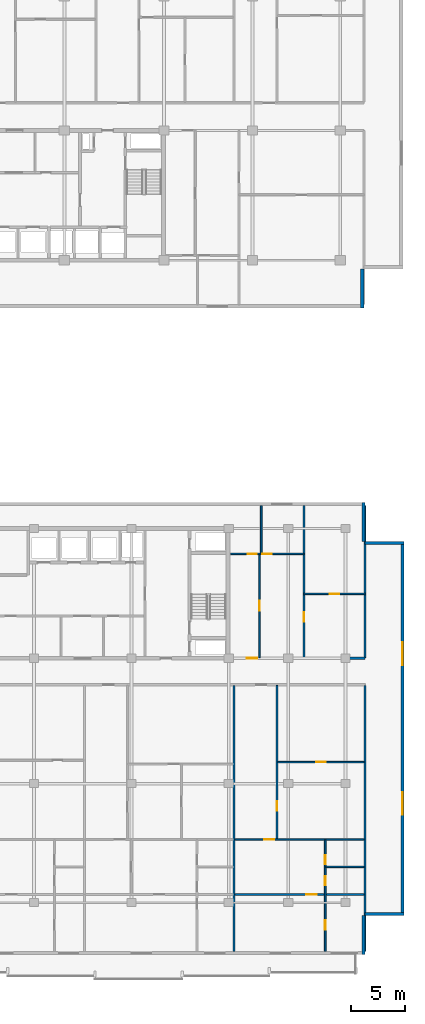
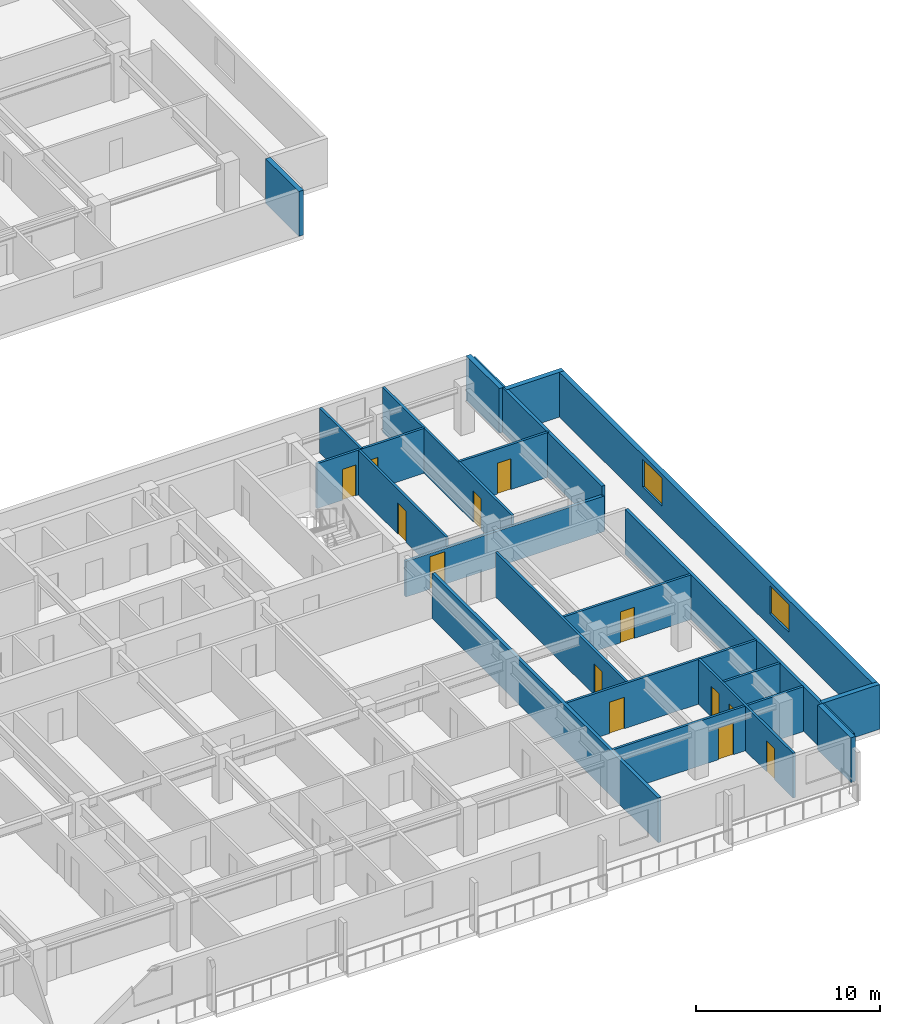
# One storey, part 9 of 21: 21 walls, 13 doors, 2 windows, 15 openings.
"""IFC4 building model written with IfcOpenShell, lengths in metres."""

from ifc_helpers import new_model, si_unit, direction, frame, frame_2d, origin, place, context, subcontext, project, spatial, rectangle, extrude, material, layer, layer_set, type_object, element, fill, save


model = new_model("IFC4")

# Units and contexts
model_context = context("Model", 3, precision=1e-05, world=origin(), true_north=direction((0.0, 1.0)))
body_context = subcontext(model_context, "Body", "Model", "MODEL_VIEW")
ifc_project = project(units=[si_unit("LENGTHUNIT", "METRE"), si_unit("AREAUNIT", "SQUARE_METRE"), si_unit("VOLUMEUNIT", "CUBIC_METRE"), si_unit("PLANEANGLEUNIT", "RADIAN"), si_unit("MASSUNIT", "GRAM", prefix="KILO")], contexts=[model_context])

# Site, building, storey
site_placement = place(None, origin())
site = spatial("IfcSite", under=ifc_project, at=site_placement, CompositionType="ELEMENT")
building_placement = place(site_placement, origin())
building = spatial("IfcBuilding", under=site, at=building_placement, Name="Korimba Cascade Residences", CompositionType="ELEMENT")
storey_placement = place(building_placement, frame((0.0, 0.0, 113.300048828125)))
storey = spatial("IfcBuildingStorey", under=building, at=storey_placement, Name="L32", CompositionType="ELEMENT", Elevation=113.300048828125)

# Walls
ifc_material_1 = material(Name="Precast concrete C40/50", Category="concrete")
ifc_layer_1 = layer(ifc_material_1, 0.300048828125)
ifc_layer_set_1 = layer_set([ifc_layer_1], Name="Precast concrete C40/50")
wall_type_1 = type_object("IfcWallType", Name="EW-STONE-300", PredefinedType="STANDARD", material=ifc_layer_set_1)
wall_1_placement = place(storey_placement, frame((130.449951171875, 50.800048828125, 0.0), z_axis=(0.0, 0.0, 1.0), x_axis=(0.0, 1.0, 0.0)))
element("IfcWall", 1, at=wall_1_placement, inside=storey, type_object=wall_type_1, Name="L32 T1 Perimeter Stone Wall E01", PredefinedType="STANDARD", context=body_context, shape_type="SweptSolid", body=[
    extrude(rectangle(XDim=3.599853515625, YDim=0.300048828125, at=frame_2d((1.7998046875, 0.0))), origin(), (0.0, 0.0, 1.0), 2.969970703125),
])
for number, where, z_axis, x_axis, name in (
    (2, (130.550048828125, -9.0, 0.0), (0.0, 0.0, 1.0), (0.0, 1.0, 0.0), "L32 T2 Perimeter Stone Wall E01"),
    (3, (130.699951171875, -5.25, 0.0), (0.0, 0.0, 1.0), (1.0, 0.0, 0.0), "L32 T2 Perimeter Stone Wall E02"),
):
    element("IfcWall", number, at=place(storey_placement, frame(where, z_axis=z_axis, x_axis=x_axis)), inside=storey, type_object=wall_type_1, Name=name, PredefinedType="STANDARD", context=body_context, shape_type="SweptSolid", body=[
        extrude(rectangle(XDim=3.60009765625, YDim=0.300048828125, at=frame_2d((1.800048828125, 0.0))), origin(), (0.0, 0.0, 1.0), 2.969970703125),
    ])

# Wall, openings, windows
wall_2_placement = place(storey_placement, frame((134.14990234375, -5.39990234375, 0.0), z_axis=(0.0, 0.0, 1.0), x_axis=(0.0, 1.0, 0.0)))
wall_2 = element("IfcWall", 4, at=wall_2_placement, inside=storey, type_object=wall_type_1, Name="L32 T2 Perimeter Stone Wall E03", PredefinedType="STANDARD", context=body_context, shape_type="SweptSolid", body=[
    extrude(rectangle(XDim=34.599853515625, YDim=0.300048828125, at=frame_2d((17.2998046875, 0.0))), origin(), (0.0, 0.0, 1.0), 2.969970703125),
])
opening_1_placement = place(wall_2_placement, frame((9.330078125, 0.0, 0.85009765625)))
opening_1 = element("IfcOpeningElement", 5, at=opening_1_placement, cuts=wall_2, Name="Opening W-03", PredefinedType="OPENING", context=body_context, shape_type="SweptSolid", body=[
    extrude(rectangle(XDim=2.10009765625, YDim=1.85009765625, at=frame_2d((1.050048828125, 0.925048828125))), frame((0.0, 0.16015625, 0.0), z_axis=(0.0, -1.0, 0.0), x_axis=(1.0, 0.0, 0.0)), (0.0, 0.0, 1.0), 0.320068359375),
])
opening_2_placement = place(wall_2_placement, frame((23.169921875, 0.0, 0.85009765625)))
opening_2 = element("IfcOpeningElement", 6, at=opening_2_placement, cuts=wall_2, Name="Opening W-03", PredefinedType="OPENING", context=body_context, shape_type="SweptSolid", body=[
    extrude(rectangle(XDim=2.10009765625, YDim=1.85009765625, at=frame_2d((1.050048828125, 0.925048828125))), frame((0.0, 0.16015625, 0.0), z_axis=(0.0, -1.0, 0.0), x_axis=(1.0, 0.0, 0.0)), (0.0, 0.0, 1.0), 0.320068359375),
])
ifc_material_2 = material(Name="Double-Glazed Aluminium Window", Category="aluminium")
window_type = type_object("IfcWindowType", Name="WIN-CRN-2100", PartitioningType="DOUBLE_PANEL_HORIZONTAL", PredefinedType="WINDOW", material=ifc_material_2)
window_1_placement = place(opening_1_placement, origin())
window_1 = element("IfcWindow", 7, at=window_1_placement, inside=storey, type_object=window_type, Name="L32 T2 End View Window 3.1", OverallHeight=1.85009765625, OverallWidth=2.10009765625, PartitioningType="DOUBLE_PANEL_HORIZONTAL", PredefinedType="WINDOW", context=body_context, shape_type="SweptSolid", body=[
    extrude(rectangle(XDim=2.10009765625, YDim=1.85009765625, at=frame_2d((1.050048828125, 0.925048828125))), frame((0.0, 0.030029296875, 0.0), z_axis=(0.0, -1.0, 0.0), x_axis=(1.0, 0.0, 0.0)), (0.0, 0.0, 1.0), 0.06005859375),
])
fill(opening_1, window_1)
window_2_placement = place(opening_2_placement, origin())
window_2 = element("IfcWindow", 8, at=window_2_placement, inside=storey, type_object=window_type, Name="L32 T2 End View Window 3.2", OverallHeight=1.85009765625, OverallWidth=2.10009765625, PartitioningType="DOUBLE_PANEL_HORIZONTAL", PredefinedType="WINDOW", context=body_context, shape_type="SweptSolid", body=[
    extrude(rectangle(XDim=2.10009765625, YDim=1.85009765625, at=frame_2d((1.050048828125, 0.925048828125))), frame((0.0, 0.030029296875, 0.0), z_axis=(0.0, -1.0, 0.0), x_axis=(1.0, 0.0, 0.0)), (0.0, 0.0, 1.0), 0.06005859375),
])
fill(opening_2, window_2)

# Walls
for number, where, z_axis, x_axis, name in (
    (9, (134.300048828125, 29.050048828125, 0.0), (0.0, 0.0, 1.0), (-1.0, 0.0, 0.0), "L32 T2 Perimeter Stone Wall E04"),
    (10, (130.550048828125, 29.199951171875, 0.0), (0.0, 0.0, 1.0), (0.0, 1.0, 0.0), "L32 T2 Perimeter Stone Wall E05"),
):
    element("IfcWall", number, at=place(storey_placement, frame(where, z_axis=z_axis, x_axis=x_axis)), inside=storey, type_object=wall_type_1, Name=name, PredefinedType="STANDARD", context=body_context, shape_type="SweptSolid", body=[
        extrude(rectangle(XDim=3.60009765625, YDim=0.300048828125, at=frame_2d((1.800048828125, 0.0))), origin(), (0.0, 0.0, 1.0), 2.969970703125),
    ])
ifc_layer_2 = layer(ifc_material_1, 0.199951171875)
ifc_layer_set_2 = layer_set([ifc_layer_2], Name="Precast concrete C40/50")
wall_type_2 = type_object("IfcWallType", Name="WAL-IT-200", PredefinedType="PARTITIONING", material=ifc_layer_set_2)
wall_3_placement = place(storey_placement, frame((130.699951171875, 18.39990234375, 0.0), z_axis=(0.0, 0.0, 1.0), x_axis=(0.0, 1.0, 0.0)))
element("IfcWall", 11, at=wall_3_placement, inside=storey, type_object=wall_type_2, Name="L32 Partition Wall WAL-L32-T2-FE-WR", PredefinedType="PARTITIONING", context=body_context, shape_type="SweptSolid", body=[
    extrude(rectangle(XDim=14.10009765625, YDim=0.199951171875, at=frame_2d((7.050048828125, 0.0))), origin(), (0.0, 0.0, 1.0), 2.969970703125),
])

# Wall, opening, door
wall_4_placement = place(storey_placement, frame((118.25, 18.39990234375, 0.0), z_axis=(0.0, 0.0, 1.0), x_axis=(1.0, 0.0, 0.0)))
wall_4 = element("IfcWall", 12, at=wall_4_placement, inside=storey, type_object=wall_type_2, Name="L32 Partition Wall WAL-L32-T2-FE-S", PredefinedType="PARTITIONING", context=body_context, shape_type="SweptSolid", body=[
    extrude(rectangle(XDim=12.449951171875, YDim=0.199951171875, at=frame_2d((6.22509765625, 0.0))), origin(), (0.0, 0.0, 1.0), 2.357666015625),
])
opening_3_placement = place(wall_4_placement, frame((1.510009765625, 0.0, 0.0)))
opening_3 = element("IfcOpeningElement", 13, at=opening_3_placement, cuts=wall_4, Name="Opening D-UN1", PredefinedType="OPENING", context=body_context, shape_type="SweptSolid", body=[
    extrude(rectangle(XDim=0.949951171875, YDim=2.14990234375, at=frame_2d((0.47509765625, 1.074951171875))), frame((0.0, 0.10986328125, 0.0), z_axis=(0.0, -1.0, 0.0), x_axis=(1.0, 0.0, 0.0)), (0.0, 0.0, 1.0), 0.219970703125),
])
ifc_material_3 = material(Name="Fire-Rated Hardwood Apartment Entrance Door", Category="wood")
door_type_1 = type_object("IfcDoorType", Name="DR-FD60-950", OperationType="NOTDEFINED", PredefinedType="DOOR", material=ifc_material_3)
door_1_placement = place(opening_3_placement, origin())
door_1 = element("IfcDoor", 14, at=door_1_placement, inside=storey, type_object=door_type_1, Name="L32-T2-FE Entrance Door", OperationType="SINGLE_SWING_LEFT", OverallHeight=2.14990234375, OverallWidth=0.949951171875, PredefinedType="DOOR", context=body_context, shape_type="SweptSolid", body=[
    extrude(rectangle(XDim=0.949951171875, YDim=2.14990234375, at=frame_2d((0.47509765625, 1.074951171875))), frame((0.0, 0.02490234375, 0.0), z_axis=(0.0, -1.0, 0.0), x_axis=(1.0, 0.0, 0.0)), (0.0, 0.0, 1.0), 0.050048828125),
])
fill(opening_3, door_1)

# Walls
for number, where, z_axis, x_axis, name in (
    (15, (130.699951171875, -8.699951171875, 0.0), (0.0, 0.0, 1.0), (0.0, 1.0, 0.0), "L32 Partition Wall WAL-L32-T2-BNDWR"),
    (16, (118.583251953125, -8.699951171875, 0.0), (0.0, 0.0, 1.0), (0.0, 1.0, 0.0), "L32 Partition Wall WAL-L32-T2-DEM-3"),
):
    element("IfcWall", number, at=place(storey_placement, frame(where, z_axis=z_axis, x_axis=x_axis)), inside=storey, type_object=wall_type_2, Name=name, PredefinedType="PARTITIONING", context=body_context, shape_type="SweptSolid", body=[
        extrude(rectangle(XDim=24.570068359375, YDim=0.199951171875, at=frame_2d((12.28515625, 0.0))), origin(), (0.0, 0.0, 1.0), 2.969970703125),
    ])

# Wall, opening, door
ifc_material_4 = material(Name="Insulated Acoustic Stud Partition", Category="gypsum")
ifc_layer_3 = layer(ifc_material_4, 0.14990234375)
ifc_layer_set_3 = layer_set([ifc_layer_3], Name="Insulated Acoustic Stud Partition")
wall_type_3 = type_object("IfcWallType", Name="WAL-PART-150", PredefinedType="PARTITIONING", material=ifc_layer_set_3)
wall_5_placement = place(storey_placement, frame((125.050048828125, 24.35009765625, 0.0), z_axis=(0.0, 0.0, 1.0), x_axis=(1.0, 0.0, 0.0)))
wall_5 = element("IfcWall", 17, at=wall_5_placement, inside=storey, type_object=wall_type_3, Name="L32 Partition Wall WAL-L32-T2-FE-STH", PredefinedType="PARTITIONING", context=body_context, shape_type="SweptSolid", body=[
    extrude(rectangle(XDim=5.64990234375, YDim=0.14990234375, at=frame_2d((2.824951171875, 0.0))), origin(), (0.0, 0.0, 1.0), 2.969970703125),
])
opening_4_placement = place(wall_5_placement, frame((2.405029296875, 0.0, 0.0)))
opening_4 = element("IfcOpeningElement", 18, at=opening_4_placement, cuts=wall_5, Name="Opening D-BT1", PredefinedType="OPENING", context=body_context, shape_type="SweptSolid", body=[
    extrude(rectangle(XDim=0.840087890625, YDim=2.0400390625, at=frame_2d((0.419921875, 1.02001953125))), frame((0.0, 0.0849609375, 0.0), z_axis=(0.0, -1.0, 0.0), x_axis=(1.0, 0.0, 0.0)), (0.0, 0.0, 1.0), 0.169921875),
])
ifc_material_5 = material(Name="Moisture-Resistant Bathroom Timber Door", Category="wood")
door_type_2 = type_object("IfcDoorType", Name="DR-INT-850", OperationType="NOTDEFINED", PredefinedType="DOOR", material=ifc_material_5)
door_2_placement = place(opening_4_placement, origin())
door_2 = element("IfcDoor", 19, at=door_2_placement, inside=storey, type_object=door_type_2, Name="L32-T2-FE Dressing Store Door", OperationType="SINGLE_SWING_RIGHT", OverallHeight=2.0400390625, OverallWidth=0.840087890625, PredefinedType="DOOR", context=body_context, shape_type="SweptSolid", body=[
    extrude(rectangle(XDim=0.840087890625, YDim=2.0400390625, at=frame_2d((0.419921875, 1.02001953125))), frame((0.0, 0.02490234375, 0.0), z_axis=(0.0, -1.0, 0.0), x_axis=(1.0, 0.0, 0.0)), (0.0, 0.0, 1.0), 0.050048828125),
])
fill(opening_4, door_2)

wall_6_placement = place(storey_placement, frame((125.050048828125, 18.449951171875, 0.0), z_axis=(0.0, 0.0, 1.0), x_axis=(0.0, 1.0, 0.0)))
wall_6 = element("IfcWall", 20, at=wall_6_placement, inside=storey, type_object=wall_type_3, Name="L32 Partition Wall WAL-L32-T2-FE-STV", PredefinedType="PARTITIONING", context=body_context, shape_type="SweptSolid", body=[
    extrude(rectangle(XDim=14.050048828125, YDim=0.14990234375, at=frame_2d((7.02490234375, 0.0))), origin(), (0.0, 0.0, 1.0), 2.969970703125),
])
opening_5_placement = place(wall_6_placement, frame((3.320068359375, 0.0, 0.0)))
opening_5 = element("IfcOpeningElement", 21, at=opening_5_placement, cuts=wall_6, Name="Opening D-IN2", PredefinedType="OPENING", context=body_context, shape_type="SweptSolid", body=[
    extrude(rectangle(XDim=0.8798828125, YDim=2.06005859375, at=frame_2d((0.43994140625, 1.030029296875))), frame((0.0, 0.0849609375, 0.0), z_axis=(0.0, -1.0, 0.0), x_axis=(1.0, 0.0, 0.0)), (0.0, 0.0, 1.0), 0.169921875),
])
ifc_material_6 = material(Name="Acoustic Timber Bedroom Door", Category="wood")
door_type_3 = type_object("IfcDoorType", Name="DR-INT-880", OperationType="NOTDEFINED", PredefinedType="DOOR", material=ifc_material_6)
door_3_placement = place(opening_5_placement, origin())
door_3 = element("IfcDoor", 22, at=door_3_placement, inside=storey, type_object=door_type_3, Name="L32-T2-FE Study Door", OperationType="SINGLE_SWING_LEFT", OverallHeight=2.06005859375, OverallWidth=0.8798828125, PredefinedType="DOOR", context=body_context, shape_type="SweptSolid", body=[
    extrude(rectangle(XDim=0.8798828125, YDim=2.06005859375, at=frame_2d((0.43994140625, 1.030029296875))), frame((0.0, 0.02490234375, 0.0), z_axis=(0.0, -1.0, 0.0), x_axis=(1.0, 0.0, 0.0)), (0.0, 0.0, 1.0), 0.050048828125),
])
fill(opening_5, door_3)

wall_7_placement = place(storey_placement, frame((120.929931640625, 18.449951171875, 0.0), z_axis=(0.0, 0.0, 1.0), x_axis=(0.0, 1.0, 0.0)))
wall_7 = element("IfcWall", 23, at=wall_7_placement, inside=storey, type_object=wall_type_3, Name="L32 Partition Wall WAL-L32-T2-FE-VS", PredefinedType="PARTITIONING", context=body_context, shape_type="SweptSolid", body=[
    extrude(rectangle(XDim=9.60009765625, YDim=0.14990234375, at=frame_2d((4.800048828125, 0.0))), origin(), (0.0, 0.0, 1.0), 2.969970703125),
])
opening_6_placement = place(wall_7_placement, frame((4.340087890625, 0.0, 0.0)))
opening_6 = element("IfcOpeningElement", 24, at=opening_6_placement, cuts=wall_7, Name="Opening D-IN1", PredefinedType="OPENING", context=body_context, shape_type="SweptSolid", body=[
    extrude(rectangle(XDim=0.919921875, YDim=2.080078125, at=frame_2d((0.4599609375, 1.0400390625))), frame((0.0, 0.0849609375, 0.0), z_axis=(0.0, -1.0, 0.0), x_axis=(1.0, 0.0, 0.0)), (0.0, 0.0, 1.0), 0.169921875),
])
ifc_material_7 = material(Name="Acoustic Timber Living Door", Category="wood")
door_type_4 = type_object("IfcDoorType", Name="DR-INT-920", OperationType="NOTDEFINED", PredefinedType="DOOR", material=ifc_material_7)
door_4_placement = place(opening_6_placement, origin())
door_4 = element("IfcDoor", 25, at=door_4_placement, inside=storey, type_object=door_type_4, Name="L32-T2-FE Living Door", OperationType="SINGLE_SWING_RIGHT", OverallHeight=2.080078125, OverallWidth=0.919921875, PredefinedType="DOOR", context=body_context, shape_type="SweptSolid", body=[
    extrude(rectangle(XDim=0.919921875, YDim=2.080078125, at=frame_2d((0.4599609375, 1.0400390625))), frame((0.0, 0.02490234375, 0.0), z_axis=(0.0, -1.0, 0.0), x_axis=(1.0, 0.0, 0.0)), (0.0, 0.0, 1.0), 0.050048828125),
])
fill(opening_6, door_4)

# Wall
wall_8_placement = place(storey_placement, frame((121.10009765625, 28.050048828125, 0.0), z_axis=(0.0, 0.0, 1.0), x_axis=(0.0, 1.0, 0.0)))
element("IfcWall", 26, at=wall_8_placement, inside=storey, type_object=wall_type_3, Name="L32 Partition Wall WAL-L32-T2-FE-VN", PredefinedType="PARTITIONING", context=body_context, shape_type="SweptSolid", body=[
    extrude(rectangle(XDim=4.449951171875, YDim=0.14990234375, at=frame_2d((2.22509765625, 0.0))), origin(), (0.0, 0.0, 1.0), 2.969970703125),
])

# Wall, openings, doors
wall_9_placement = place(storey_placement, frame((118.27001953125, 28.050048828125, 0.0), z_axis=(0.0, 0.0, 1.0), x_axis=(1.0, 0.0, 0.0)))
wall_9 = element("IfcWall", 27, at=wall_9_placement, inside=storey, type_object=wall_type_3, Name="L32 Partition Wall WAL-L32-T2-FE-H", PredefinedType="PARTITIONING", context=body_context, shape_type="SweptSolid", body=[
    extrude(rectangle(XDim=6.760009765625, YDim=0.14990234375, at=frame_2d((3.3798828125, 0.0))), origin(), (0.0, 0.0, 1.0), 2.969970703125),
])
opening_7_placement = place(wall_9_placement, frame((1.58740234375, 0.0, 0.0)))
opening_7 = element("IfcOpeningElement", 28, at=opening_7_placement, cuts=wall_9, Name="Opening D-BT1", PredefinedType="OPENING", context=body_context, shape_type="SweptSolid", body=[
    extrude(rectangle(XDim=0.840087890625, YDim=2.0400390625, at=frame_2d((0.419921875, 1.02001953125))), frame((0.0, 0.0849609375, 0.0), z_axis=(0.0, -1.0, 0.0), x_axis=(1.0, 0.0, 0.0)), (0.0, 0.0, 1.0), 0.169921875),
])
opening_8_placement = place(wall_9_placement, frame((2.93994140625, 0.0, 0.0)))
opening_8 = element("IfcOpeningElement", 29, at=opening_8_placement, cuts=wall_9, Name="Opening D-IN2", PredefinedType="OPENING", context=body_context, shape_type="SweptSolid", body=[
    extrude(rectangle(XDim=0.8798828125, YDim=2.06005859375, at=frame_2d((0.43994140625, 1.030029296875))), frame((0.0, 0.0849609375, 0.0), z_axis=(0.0, -1.0, 0.0), x_axis=(1.0, 0.0, 0.0)), (0.0, 0.0, 1.0), 0.169921875),
])
door_5_placement = place(opening_7_placement, origin())
door_5 = element("IfcDoor", 30, at=door_5_placement, inside=storey, type_object=door_type_2, Name="L32-T2-FE Bathroom Door", OperationType="SINGLE_SWING_LEFT", OverallHeight=2.0400390625, OverallWidth=0.840087890625, PredefinedType="DOOR", context=body_context, shape_type="SweptSolid", body=[
    extrude(rectangle(XDim=0.840087890625, YDim=2.0400390625, at=frame_2d((0.419921875, 1.02001953125))), frame((0.0, 0.02490234375, 0.0), z_axis=(0.0, -1.0, 0.0), x_axis=(1.0, 0.0, 0.0)), (0.0, 0.0, 1.0), 0.050048828125),
])
fill(opening_7, door_5)
door_6_placement = place(opening_8_placement, origin())
door_6 = element("IfcDoor", 31, at=door_6_placement, inside=storey, type_object=door_type_3, Name="L32-T2-FE Bedroom Door", OperationType="SINGLE_SWING_RIGHT", OverallHeight=2.06005859375, OverallWidth=0.8798828125, PredefinedType="DOOR", context=body_context, shape_type="SweptSolid", body=[
    extrude(rectangle(XDim=0.8798828125, YDim=2.06005859375, at=frame_2d((0.43994140625, 1.030029296875))), frame((0.0, 0.02490234375, 0.0), z_axis=(0.0, -1.0, 0.0), x_axis=(1.0, 0.0, 0.0)), (0.0, 0.0, 1.0), 0.050048828125),
])
fill(opening_8, door_6)

# Wall, opening, door
wall_10_placement = place(storey_placement, frame((122.61328125, 8.7900390625, 0.0), z_axis=(0.0, 0.0, 1.0), x_axis=(1.0, 0.0, 0.0)))
wall_10 = element("IfcWall", 32, at=wall_10_placement, inside=storey, type_object=wall_type_3, Name="L32 Partition Wall WAL-L32-T2-U04-FMH", PredefinedType="PARTITIONING", context=body_context, shape_type="SweptSolid", body=[
    extrude(rectangle(XDim=8.0068359375, YDim=0.14990234375, at=frame_2d((4.00341796875, 0.0))), origin(), (0.0, 0.0, 1.0), 2.969970703125),
])
opening_9_placement = place(wall_10_placement, frame((3.5634765625, 0.0, 0.0)))
opening_9 = element("IfcOpeningElement", 33, at=opening_9_placement, cuts=wall_10, Name="Opening D-IN2", PredefinedType="OPENING", context=body_context, shape_type="SweptSolid", body=[
    extrude(rectangle(XDim=0.8798828125, YDim=2.06005859375, at=frame_2d((0.43994140625, 1.030029296875))), frame((0.0, 0.0849609375, 0.0), z_axis=(0.0, -1.0, 0.0), x_axis=(1.0, 0.0, 0.0)), (0.0, 0.0, 1.0), 0.169921875),
])
door_7_placement = place(opening_9_placement, origin())
door_7 = element("IfcDoor", 34, at=door_7_placement, inside=storey, type_object=door_type_3, Name="L32-T2-U04 Library Salon Door", OperationType="SINGLE_SWING_RIGHT", OverallHeight=2.06005859375, OverallWidth=0.8798828125, PredefinedType="DOOR", context=body_context, shape_type="SweptSolid", body=[
    extrude(rectangle(XDim=0.8798828125, YDim=2.06005859375, at=frame_2d((0.43994140625, 1.030029296875))), frame((0.0, 0.02490234375, 0.0), z_axis=(0.0, -1.0, 0.0), x_axis=(1.0, 0.0, 0.0)), (0.0, 0.0, 1.0), 0.050048828125),
])
fill(opening_9, door_7)

wall_11_placement = place(storey_placement, frame((122.55322265625, 1.68994140625, 0.0), z_axis=(0.0, 0.0, 1.0), x_axis=(0.0, 1.0, 0.0)))
wall_11 = element("IfcWall", 35, at=wall_11_placement, inside=storey, type_object=wall_type_3, Name="L32 Partition Wall WAL-L32-T2-U04-FV", PredefinedType="PARTITIONING", context=body_context, shape_type="SweptSolid", body=[
    extrude(rectangle(XDim=14.199951171875, YDim=0.14990234375, at=frame_2d((7.10009765625, 0.0))), origin(), (0.0, 0.0, 1.0), 2.969970703125),
])
opening_10_placement = place(wall_11_placement, frame((2.597900390625, 0.0, 0.0)))
opening_10 = element("IfcOpeningElement", 36, at=opening_10_placement, cuts=wall_11, Name="Opening D-IN2", PredefinedType="OPENING", context=body_context, shape_type="SweptSolid", body=[
    extrude(rectangle(XDim=0.8798828125, YDim=2.06005859375, at=frame_2d((0.43994140625, 1.030029296875))), frame((0.0, 0.0849609375, 0.0), z_axis=(0.0, -1.0, 0.0), x_axis=(1.0, 0.0, 0.0)), (0.0, 0.0, 1.0), 0.169921875),
])
door_8_placement = place(opening_10_placement, origin())
door_8 = element("IfcDoor", 37, at=door_8_placement, inside=storey, type_object=door_type_3, Name="L32-T2-U04 Media Lounge Door", OperationType="SINGLE_SWING_LEFT", OverallHeight=2.06005859375, OverallWidth=0.8798828125, PredefinedType="DOOR", context=body_context, shape_type="SweptSolid", body=[
    extrude(rectangle(XDim=0.8798828125, YDim=2.06005859375, at=frame_2d((0.43994140625, 1.030029296875))), frame((0.0, 0.02490234375, 0.0), z_axis=(0.0, -1.0, 0.0), x_axis=(1.0, 0.0, 0.0)), (0.0, 0.0, 1.0), 0.050048828125),
])
fill(opening_10, door_8)

# Wall
wall_12_placement = place(storey_placement, frame((127.080078125, -0.889892578125, 0.0), z_axis=(0.0, 0.0, 1.0), x_axis=(1.0, 0.0, 0.0)))
element("IfcWall", 38, at=wall_12_placement, inside=storey, type_object=wall_type_3, Name="L32 Partition Wall WAL-L32-T2-U04-BLDIV", PredefinedType="PARTITIONING", context=body_context, shape_type="SweptSolid", body=[
    extrude(rectangle(XDim=3.5400390625, YDim=0.14990234375, at=frame_2d((1.77001953125, 0.0))), origin(), (0.0, 0.0, 1.0), 2.969970703125),
])

# Wall, openings, doors
wall_13_placement = place(storey_placement, frame((127.02001953125, -8.699951171875, 0.0), z_axis=(0.0, 0.0, 1.0), x_axis=(0.0, 1.0, 0.0)))
wall_13 = element("IfcWall", 39, at=wall_13_placement, inside=storey, type_object=wall_type_3, Name="L32 Partition Wall WAL-L32-T2-U04-V1", PredefinedType="PARTITIONING", context=body_context, shape_type="SweptSolid", body=[
    extrude(rectangle(XDim=10.31005859375, YDim=0.14990234375, at=frame_2d((5.155029296875, 0.0))), origin(), (0.0, 0.0, 1.0), 2.969970703125),
])
opening_11_placement = place(wall_13_placement, frame((6.120361328125, 0.0, 0.0)))
opening_11 = element("IfcOpeningElement", 40, at=opening_11_placement, cuts=wall_13, Name="Opening D-BT1", PredefinedType="OPENING", context=body_context, shape_type="SweptSolid", body=[
    extrude(rectangle(XDim=0.840087890625, YDim=2.0400390625, at=frame_2d((0.419921875, 1.02001953125))), frame((0.0, 0.0849609375, 0.0), z_axis=(0.0, -1.0, 0.0), x_axis=(1.0, 0.0, 0.0)), (0.0, 0.0, 1.0), 0.169921875),
])
opening_12_placement = place(wall_13_placement, frame((8.03955078125, 0.0, 0.0)))
opening_12 = element("IfcOpeningElement", 41, at=opening_12_placement, cuts=wall_13, Name="Opening D-BT1", PredefinedType="OPENING", context=body_context, shape_type="SweptSolid", body=[
    extrude(rectangle(XDim=0.840087890625, YDim=2.0400390625, at=frame_2d((0.419921875, 1.02001953125))), frame((0.0, 0.0849609375, 0.0), z_axis=(0.0, -1.0, 0.0), x_axis=(1.0, 0.0, 0.0)), (0.0, 0.0, 1.0), 0.169921875),
])
opening_13_placement = place(wall_13_placement, frame((2.001220703125, 0.0, 0.0)))
opening_13 = element("IfcOpeningElement", 42, at=opening_13_placement, cuts=wall_13, Name="Opening D-IN2", PredefinedType="OPENING", context=body_context, shape_type="SweptSolid", body=[
    extrude(rectangle(XDim=0.8798828125, YDim=2.06005859375, at=frame_2d((0.43994140625, 1.030029296875))), frame((0.0, 0.0849609375, 0.0), z_axis=(0.0, -1.0, 0.0), x_axis=(1.0, 0.0, 0.0)), (0.0, 0.0, 1.0), 0.169921875),
])
door_9_placement = place(opening_11_placement, origin())
door_9 = element("IfcDoor", 43, at=door_9_placement, inside=storey, type_object=door_type_2, Name="L32-T2-U04 Bathroom Door", OperationType="SINGLE_SWING_RIGHT", OverallHeight=2.0400390625, OverallWidth=0.840087890625, PredefinedType="DOOR", context=body_context, shape_type="SweptSolid", body=[
    extrude(rectangle(XDim=0.840087890625, YDim=2.0400390625, at=frame_2d((0.419921875, 1.02001953125))), frame((0.0, 0.02490234375, 0.0), z_axis=(0.0, -1.0, 0.0), x_axis=(1.0, 0.0, 0.0)), (0.0, 0.0, 1.0), 0.050048828125),
])
fill(opening_11, door_9)
door_10_placement = place(opening_12_placement, origin())
door_10 = element("IfcDoor", 44, at=door_10_placement, inside=storey, type_object=door_type_2, Name="L32-T2-U04 Laundry Door", OperationType="SINGLE_SWING_LEFT", OverallHeight=2.0400390625, OverallWidth=0.840087890625, PredefinedType="DOOR", context=body_context, shape_type="SweptSolid", body=[
    extrude(rectangle(XDim=0.840087890625, YDim=2.0400390625, at=frame_2d((0.419921875, 1.02001953125))), frame((0.0, 0.02490234375, 0.0), z_axis=(0.0, -1.0, 0.0), x_axis=(1.0, 0.0, 0.0)), (0.0, 0.0, 1.0), 0.050048828125),
])
fill(opening_12, door_10)
door_11_placement = place(opening_13_placement, origin())
door_11 = element("IfcDoor", 45, at=door_11_placement, inside=storey, type_object=door_type_3, Name="L32-T2-U04 Bedroom 1 Door", OperationType="SINGLE_SWING_RIGHT", OverallHeight=2.06005859375, OverallWidth=0.8798828125, PredefinedType="DOOR", context=body_context, shape_type="SweptSolid", body=[
    extrude(rectangle(XDim=0.8798828125, YDim=2.06005859375, at=frame_2d((0.43994140625, 1.030029296875))), frame((0.0, 0.02490234375, 0.0), z_axis=(0.0, -1.0, 0.0), x_axis=(1.0, 0.0, 0.0)), (0.0, 0.0, 1.0), 0.050048828125),
])
fill(opening_13, door_11)

# Wall, opening, door
wall_14_placement = place(storey_placement, frame((118.663330078125, 1.64990234375, 0.0), z_axis=(0.0, 0.0, 1.0), x_axis=(1.0, 0.0, 0.0)))
wall_14 = element("IfcWall", 46, at=wall_14_placement, inside=storey, type_object=wall_type_3, Name="L32 Partition Wall WAL-L32-T2-U04-MW", PredefinedType="PARTITIONING", context=body_context, shape_type="SweptSolid", body=[
    extrude(rectangle(XDim=11.956787109375, YDim=0.14990234375, at=frame_2d((5.978515625, 0.0))), origin(), (0.0, 0.0, 1.0), 2.969970703125),
])
opening_14_placement = place(wall_14_placement, frame((2.719970703125, 0.0, 0.0)))
opening_14 = element("IfcOpeningElement", 47, at=opening_14_placement, cuts=wall_14, Name="Opening D-IN1", PredefinedType="OPENING", context=body_context, shape_type="SweptSolid", body=[
    extrude(rectangle(XDim=0.919921875, YDim=2.080078125, at=frame_2d((0.4599609375, 1.0400390625))), frame((0.0, 0.0849609375, 0.0), z_axis=(0.0, -1.0, 0.0), x_axis=(1.0, 0.0, 0.0)), (0.0, 0.0, 1.0), 0.169921875),
])
door_12_placement = place(opening_14_placement, origin())
door_12 = element("IfcDoor", 48, at=door_12_placement, inside=storey, type_object=door_type_4, Name="L32-T2-U04 Kitchen Archway Door", OperationType="SINGLE_SWING_LEFT", OverallHeight=2.080078125, OverallWidth=0.919921875, PredefinedType="DOOR", context=body_context, shape_type="SweptSolid", body=[
    extrude(rectangle(XDim=0.919921875, YDim=2.080078125, at=frame_2d((0.4599609375, 1.0400390625))), frame((0.0, 0.02490234375, 0.0), z_axis=(0.0, -1.0, 0.0), x_axis=(1.0, 0.0, 0.0)), (0.0, 0.0, 1.0), 0.050048828125),
])
fill(opening_14, door_12)

wall_15_placement = place(storey_placement, frame((118.663330078125, -3.449951171875, 0.0), z_axis=(0.0, 0.0, 1.0), x_axis=(1.0, 0.0, 0.0)))
wall_15 = element("IfcWall", 49, at=wall_15_placement, inside=storey, type_object=wall_type_3, Name="L32 Partition Wall WAL-L32-T2-U04-HZ", PredefinedType="PARTITIONING", context=body_context, shape_type="SweptSolid", body=[
    extrude(rectangle(XDim=11.956787109375, YDim=0.14990234375, at=frame_2d((5.978515625, 0.0))), origin(), (0.0, 0.0, 1.0), 2.969970703125),
])
opening_15_placement = place(wall_15_placement, frame((6.61328125, 0.0, 0.0)))
opening_15 = element("IfcOpeningElement", 50, at=opening_15_placement, cuts=wall_15, Name="Opening D-IN0", PredefinedType="OPENING", context=body_context, shape_type="SweptSolid", body=[
    extrude(rectangle(XDim=0.93994140625, YDim=2.10009765625, at=frame_2d((0.469970703125, 1.050048828125))), frame((0.0, 0.0849609375, 0.0), z_axis=(0.0, -1.0, 0.0), x_axis=(1.0, 0.0, 0.0)), (0.0, 0.0, 1.0), 0.169921875),
])
ifc_material_8 = material(Name="Acoustic Timber Living Archway Door", Category="wood")
door_type_5 = type_object("IfcDoorType", Name="DR-INT-950", OperationType="NOTDEFINED", PredefinedType="DOOR", material=ifc_material_8)
door_13_placement = place(opening_15_placement, origin())
door_13 = element("IfcDoor", 51, at=door_13_placement, inside=storey, type_object=door_type_5, Name="L32-T2-U04 Living Archway Door", OperationType="SINGLE_SWING_RIGHT", OverallHeight=2.10009765625, OverallWidth=0.93994140625, PredefinedType="DOOR", context=body_context, shape_type="SweptSolid", body=[
    extrude(rectangle(XDim=0.93994140625, YDim=2.10009765625, at=frame_2d((0.469970703125, 1.050048828125))), frame((0.0, 0.02490234375, 0.0), z_axis=(0.0, -1.0, 0.0), x_axis=(1.0, 0.0, 0.0)), (0.0, 0.0, 1.0), 0.050048828125),
])
fill(opening_15, door_13)

save(model, "model.ifc")
